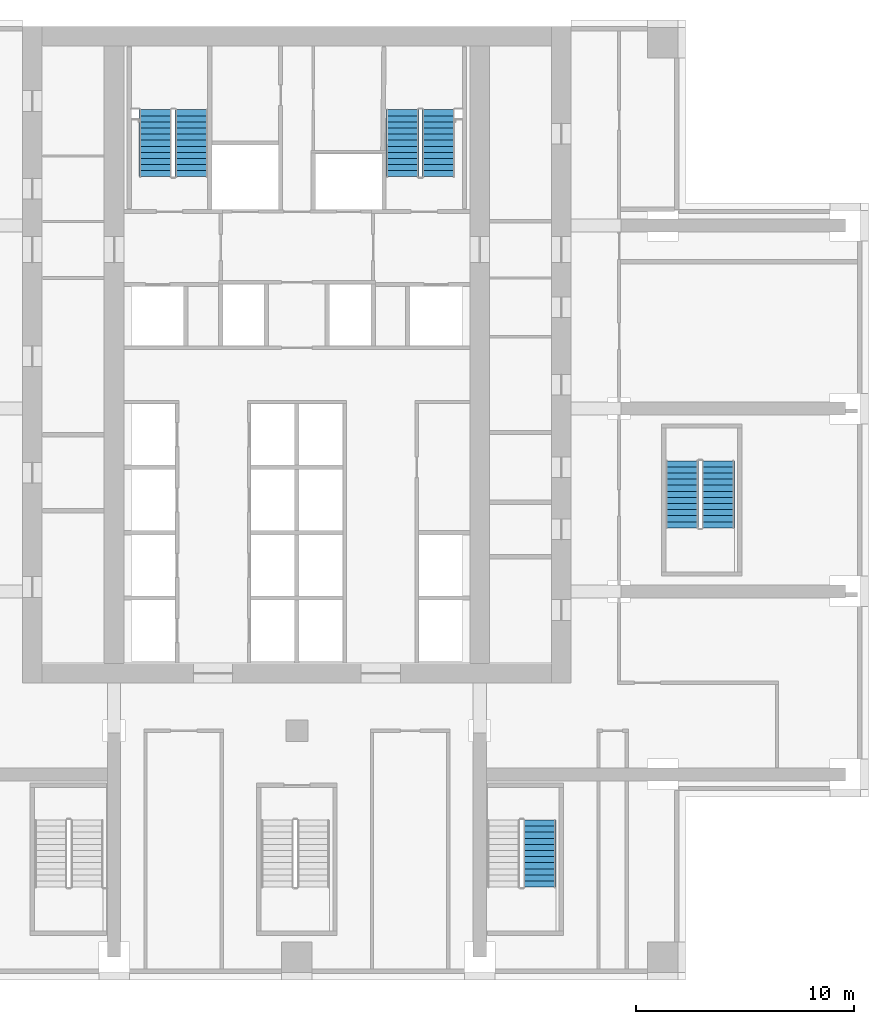
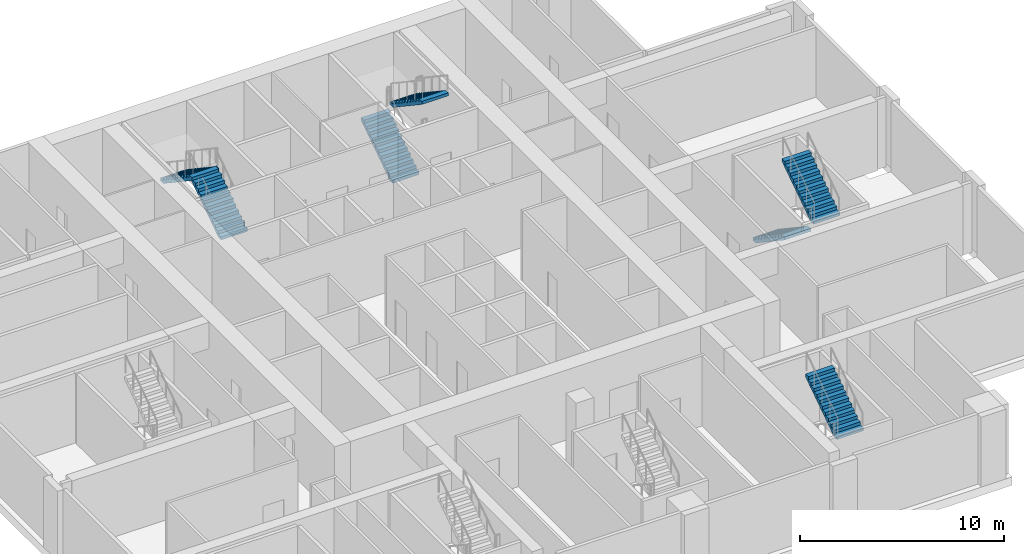
# One storey, part 6 of 11: 7 stair flights, 4 elements without a shape of their own.
"""IFC4 building model written with IfcOpenShell, lengths in metres."""

from ifc_helpers import new_model, si_unit, direction, frame, origin, place, context, subcontext, project, spatial, polyline, outline, extrude, material, type_object, element, aggregate, save


model = new_model("IFC4")

# Units and contexts
model_context = context("Model", 3, precision=1e-05, world=origin(), true_north=direction((0.0, 1.0)))
body_context = subcontext(model_context, "Body", "Model", "MODEL_VIEW")
ifc_project = project(units=[si_unit("LENGTHUNIT", "METRE"), si_unit("AREAUNIT", "SQUARE_METRE"), si_unit("VOLUMEUNIT", "CUBIC_METRE"), si_unit("PLANEANGLEUNIT", "RADIAN"), si_unit("MASSUNIT", "GRAM", prefix="KILO")], contexts=[model_context])

# Site, building, storey
site_placement = place(None, origin())
site = spatial("IfcSite", under=ifc_project, at=site_placement, CompositionType="ELEMENT")
building_placement = place(site_placement, origin())
building = spatial("IfcBuilding", under=site, at=building_placement, Name="Vermilion Ogive Tower", CompositionType="ELEMENT")
storey_placement = place(building_placement, frame((0.0, 0.0, 75.89990234375)))
storey = spatial("IfcBuildingStorey", under=building, at=storey_placement, Name="L18", CompositionType="ELEMENT", Elevation=75.89990234375)

# Stair, stair flights
ifc_material_1 = material(Name="Concrete B40", Category="concrete")
stair_type = type_object("IfcStairType", Name="Exit stair 1500", PredefinedType="HALF_TURN_STAIR", material=ifc_material_1)
stair_1_placement = place(storey_placement, origin())
stair_1 = element("IfcStair", 1, at=stair_1_placement, inside=storey, type_object=stair_type, Name="L18 Exit Stair ST1", PredefinedType="HALF_TURN_STAIR")
ifc_material_2 = material(Name="Concrete B40", Category="concrete")
stair_flight_type = type_object("IfcStairFlightType", Name="Stair flight 1500", PredefinedType="STRAIGHT", material=ifc_material_2)
stair_flight_1_placement = place(storey_placement, frame((-4.85009765625, 14.85009765625, 0.0), z_axis=(0.0, 0.0, 1.0), x_axis=(0.0, 1.0, 0.0)))
stair_flight_1 = element("IfcStairFlight", 2, at=stair_flight_1_placement, type_object=stair_flight_type, Name="ST1 flight 1", NumberOfRisers=12, NumberOfTreads=11, PredefinedType="STRAIGHT", RiserHeight=0.1875, TreadLength=0.28, context=body_context, shape_type="SweptSolid", body=[
    extrude(outline(polyline([(0.0, 0.0), (0.0, 0.1875), (0.280029296875, 0.1875), (0.280029296875, 0.375), (0.56005859375, 0.375), (0.56005859375, 0.5625), (0.840087890625, 0.5625), (0.840087890625, 0.75), (1.1201171875, 0.75), (1.1201171875, 0.9375), (1.39990234375, 0.9375), (1.39990234375, 1.125), (1.679931640625, 1.125), (1.679931640625, 1.3125), (1.9599609375, 1.3125), (1.9599609375, 1.5), (2.239990234375, 1.5), (2.239990234375, 1.6875), (2.52001953125, 1.6875), (2.52001953125, 1.875), (2.800048828125, 1.875), (2.800048828125, 2.0625), (3.080078125, 2.0625), (3.080078125, 2.25), (3.080078125, 1.882080078125), (0.26953125, 0.0), (0.0, 0.0)])), frame((0.0, 0.75, 0.0), z_axis=(0.0, -1.0, 0.0), x_axis=(1.0, 0.0, 0.0)), (0.0, 0.0, 1.0), 1.5),
])
stair_flight_2_placement = place(storey_placement, frame((-6.5, 17.929931640625, 2.25), z_axis=(0.0, 0.0, 1.0), x_axis=(0.0, -1.0, 0.0)))
stair_flight_2 = element("IfcStairFlight", 3, at=stair_flight_2_placement, type_object=stair_flight_type, Name="ST1 flight 2", NumberOfRisers=12, NumberOfTreads=11, PredefinedType="STRAIGHT", RiserHeight=0.1875, TreadLength=0.28, context=body_context, shape_type="SweptSolid", body=[
    extrude(outline(polyline([(0.0, 0.0), (0.0, 0.1875), (0.280029296875, 0.1875), (0.280029296875, 0.375), (0.56005859375, 0.375), (0.56005859375, 0.5625), (0.840087890625, 0.5625), (0.840087890625, 0.75), (1.1201171875, 0.75), (1.1201171875, 0.9375), (1.39990234375, 0.9375), (1.39990234375, 1.125), (1.679931640625, 1.125), (1.679931640625, 1.3125), (1.9599609375, 1.3125), (1.9599609375, 1.5), (2.239990234375, 1.5), (2.239990234375, 1.6875), (2.52001953125, 1.6875), (2.52001953125, 1.875), (2.800048828125, 1.875), (2.800048828125, 2.0625), (3.080078125, 2.0625), (3.080078125, 2.25), (3.080078125, 1.882080078125), (0.26953125, 0.0), (0.0, 0.0)])), frame((0.0, 0.75, 0.0), z_axis=(0.0, -1.0, 0.0), x_axis=(1.0, 0.0, 0.0)), (0.0, 0.0, 1.0), 1.5),
])
aggregate(stair_1, [stair_flight_1, stair_flight_2])

stair_2_placement = place(storey_placement, origin())
stair_2 = element("IfcStair", 4, at=stair_2_placement, inside=storey, type_object=stair_type, Name="L18 Exit Stair ST2", PredefinedType="HALF_TURN_STAIR")
stair_flight_3_placement = place(storey_placement, frame((4.85009765625, 14.85009765625, 0.0), z_axis=(0.0, 0.0, 1.0), x_axis=(0.0, 1.0, 0.0)))
stair_flight_3 = element("IfcStairFlight", 5, at=stair_flight_3_placement, type_object=stair_flight_type, Name="ST2 flight 1", NumberOfRisers=12, NumberOfTreads=11, PredefinedType="STRAIGHT", RiserHeight=0.1875, TreadLength=0.28, context=body_context, shape_type="SweptSolid", body=[
    extrude(outline(polyline([(0.0, 0.0), (0.0, 0.1875), (0.280029296875, 0.1875), (0.280029296875, 0.375), (0.56005859375, 0.375), (0.56005859375, 0.5625), (0.840087890625, 0.5625), (0.840087890625, 0.75), (1.1201171875, 0.75), (1.1201171875, 0.9375), (1.39990234375, 0.9375), (1.39990234375, 1.125), (1.679931640625, 1.125), (1.679931640625, 1.3125), (1.9599609375, 1.3125), (1.9599609375, 1.5), (2.239990234375, 1.5), (2.239990234375, 1.6875), (2.52001953125, 1.6875), (2.52001953125, 1.875), (2.800048828125, 1.875), (2.800048828125, 2.0625), (3.080078125, 2.0625), (3.080078125, 2.25), (3.080078125, 1.882080078125), (0.26953125, 0.0), (0.0, 0.0)])), frame((0.0, 0.75, 0.0), z_axis=(0.0, -1.0, 0.0), x_axis=(1.0, 0.0, 0.0)), (0.0, 0.0, 1.0), 1.5),
])
stair_flight_4_placement = place(storey_placement, frame((6.5, 17.929931640625, 2.25), z_axis=(0.0, 0.0, 1.0), x_axis=(0.0, -1.0, 0.0)))
stair_flight_4 = element("IfcStairFlight", 6, at=stair_flight_4_placement, type_object=stair_flight_type, Name="ST2 flight 2", NumberOfRisers=12, NumberOfTreads=11, PredefinedType="STRAIGHT", RiserHeight=0.1875, TreadLength=0.28, context=body_context, shape_type="SweptSolid", body=[
    extrude(outline(polyline([(0.0, 0.0), (0.0, 0.1875), (0.280029296875, 0.1875), (0.280029296875, 0.375), (0.56005859375, 0.375), (0.56005859375, 0.5625), (0.840087890625, 0.5625), (0.840087890625, 0.75), (1.1201171875, 0.75), (1.1201171875, 0.9375), (1.39990234375, 0.9375), (1.39990234375, 1.125), (1.679931640625, 1.125), (1.679931640625, 1.3125), (1.9599609375, 1.3125), (1.9599609375, 1.5), (2.239990234375, 1.5), (2.239990234375, 1.6875), (2.52001953125, 1.6875), (2.52001953125, 1.875), (2.800048828125, 1.875), (2.800048828125, 2.0625), (3.080078125, 2.0625), (3.080078125, 2.25), (3.080078125, 1.882080078125), (0.26953125, 0.0), (0.0, 0.0)])), frame((0.0, 0.75, 0.0), z_axis=(0.0, -1.0, 0.0), x_axis=(1.0, 0.0, 0.0)), (0.0, 0.0, 1.0), 1.5),
])
aggregate(stair_2, [stair_flight_3, stair_flight_4])

# Stair, stair flight
stair_3_placement = place(storey_placement, origin())
stair_3 = element("IfcStair", 7, at=stair_3_placement, inside=storey, type_object=stair_type, Name="L18 Exit Stair ST5", PredefinedType="HALF_TURN_STAIR")
stair_flight_5_placement = place(storey_placement, frame((11.14990234375, -17.780029296875, 2.25), z_axis=(0.0, 0.0, 1.0), x_axis=(0.0, 1.0, 0.0)))
stair_flight_5 = element("IfcStairFlight", 8, at=stair_flight_5_placement, type_object=stair_flight_type, Name="ST5 flight 2", NumberOfRisers=12, NumberOfTreads=11, PredefinedType="STRAIGHT", RiserHeight=0.1875, TreadLength=0.28, context=body_context, shape_type="SweptSolid", body=[
    extrude(outline(polyline([(0.0, 0.0), (0.0, 0.1875), (0.280029296875, 0.1875), (0.280029296875, 0.375), (0.56005859375, 0.375), (0.56005859375, 0.5625), (0.840087890625, 0.5625), (0.840087890625, 0.75), (1.1201171875, 0.75), (1.1201171875, 0.9375), (1.39990234375, 0.9375), (1.39990234375, 1.125), (1.679931640625, 1.125), (1.679931640625, 1.3125), (1.9599609375, 1.3125), (1.9599609375, 1.5), (2.239990234375, 1.5), (2.239990234375, 1.6875), (2.52001953125, 1.6875), (2.52001953125, 1.875), (2.800048828125, 1.875), (2.800048828125, 2.0625), (3.080078125, 2.0625), (3.080078125, 2.25), (3.080078125, 1.882080078125), (0.26953125, 0.0), (0.0, 0.0)])), frame((0.0, 0.75, 0.0), z_axis=(0.0, -1.0, 0.0), x_axis=(1.0, 0.0, 0.0)), (0.0, 0.0, 1.0), 1.5),
])
aggregate(stair_3, [stair_flight_5])

# Stair, stair flights
stair_4_placement = place(storey_placement, origin())
stair_4 = element("IfcStair", 9, at=stair_4_placement, inside=storey, type_object=stair_type, Name="L18 Exit Stair ST8", PredefinedType="HALF_TURN_STAIR")
stair_flight_6_placement = place(storey_placement, frame((17.699951171875, 1.800048828125, 0.0), z_axis=(0.0, 0.0, 1.0), x_axis=(0.0, -1.0, 0.0)))
stair_flight_6 = element("IfcStairFlight", 10, at=stair_flight_6_placement, type_object=stair_flight_type, Name="ST8 flight 1", NumberOfRisers=12, NumberOfTreads=11, PredefinedType="STRAIGHT", RiserHeight=0.1875, TreadLength=0.28, context=body_context, shape_type="SweptSolid", body=[
    extrude(outline(polyline([(0.0, 0.0), (0.0, 0.1875), (0.280029296875, 0.1875), (0.280029296875, 0.375), (0.56005859375, 0.375), (0.56005859375, 0.5625), (0.840087890625, 0.5625), (0.840087890625, 0.75), (1.1201171875, 0.75), (1.1201171875, 0.9375), (1.39990234375, 0.9375), (1.39990234375, 1.125), (1.679931640625, 1.125), (1.679931640625, 1.3125), (1.9599609375, 1.3125), (1.9599609375, 1.5), (2.239990234375, 1.5), (2.239990234375, 1.6875), (2.52001953125, 1.6875), (2.52001953125, 1.875), (2.800048828125, 1.875), (2.800048828125, 2.0625), (3.080078125, 2.0625), (3.080078125, 2.25), (3.080078125, 1.882080078125), (0.26953125, 0.0), (0.0, 0.0)])), frame((0.0, 0.75, 0.0), z_axis=(0.0, -1.0, 0.0), x_axis=(1.0, 0.0, 0.0)), (0.0, 0.0, 1.0), 1.5),
])
stair_flight_7_placement = place(storey_placement, frame((19.35009765625, -1.280029296875, 2.25), z_axis=(0.0, 0.0, 1.0), x_axis=(0.0, 1.0, 0.0)))
stair_flight_7 = element("IfcStairFlight", 11, at=stair_flight_7_placement, type_object=stair_flight_type, Name="ST8 flight 2", NumberOfRisers=12, NumberOfTreads=11, PredefinedType="STRAIGHT", RiserHeight=0.1875, TreadLength=0.28, context=body_context, shape_type="SweptSolid", body=[
    extrude(outline(polyline([(0.0, 0.0), (0.0, 0.1875), (0.280029296875, 0.1875), (0.280029296875, 0.375), (0.56005859375, 0.375), (0.56005859375, 0.5625), (0.840087890625, 0.5625), (0.840087890625, 0.75), (1.1201171875, 0.75), (1.1201171875, 0.9375), (1.39990234375, 0.9375), (1.39990234375, 1.125), (1.679931640625, 1.125), (1.679931640625, 1.3125), (1.9599609375, 1.3125), (1.9599609375, 1.5), (2.239990234375, 1.5), (2.239990234375, 1.6875), (2.52001953125, 1.6875), (2.52001953125, 1.875), (2.800048828125, 1.875), (2.800048828125, 2.0625), (3.080078125, 2.0625), (3.080078125, 2.25), (3.080078125, 1.882080078125), (0.26953125, 0.0), (0.0, 0.0)])), frame((0.0, 0.75, 0.0), z_axis=(0.0, -1.0, 0.0), x_axis=(1.0, 0.0, 0.0)), (0.0, 0.0, 1.0), 1.5),
])
aggregate(stair_4, [stair_flight_6, stair_flight_7])

save(model, "model.ifc")
